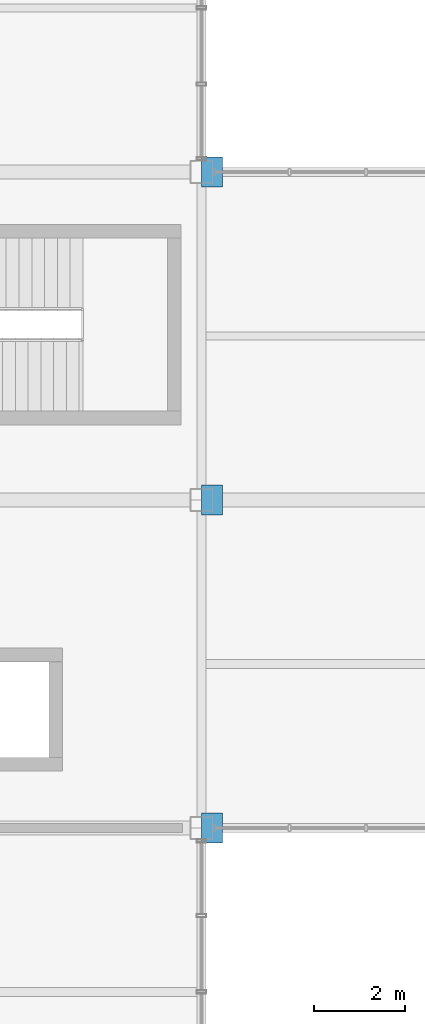
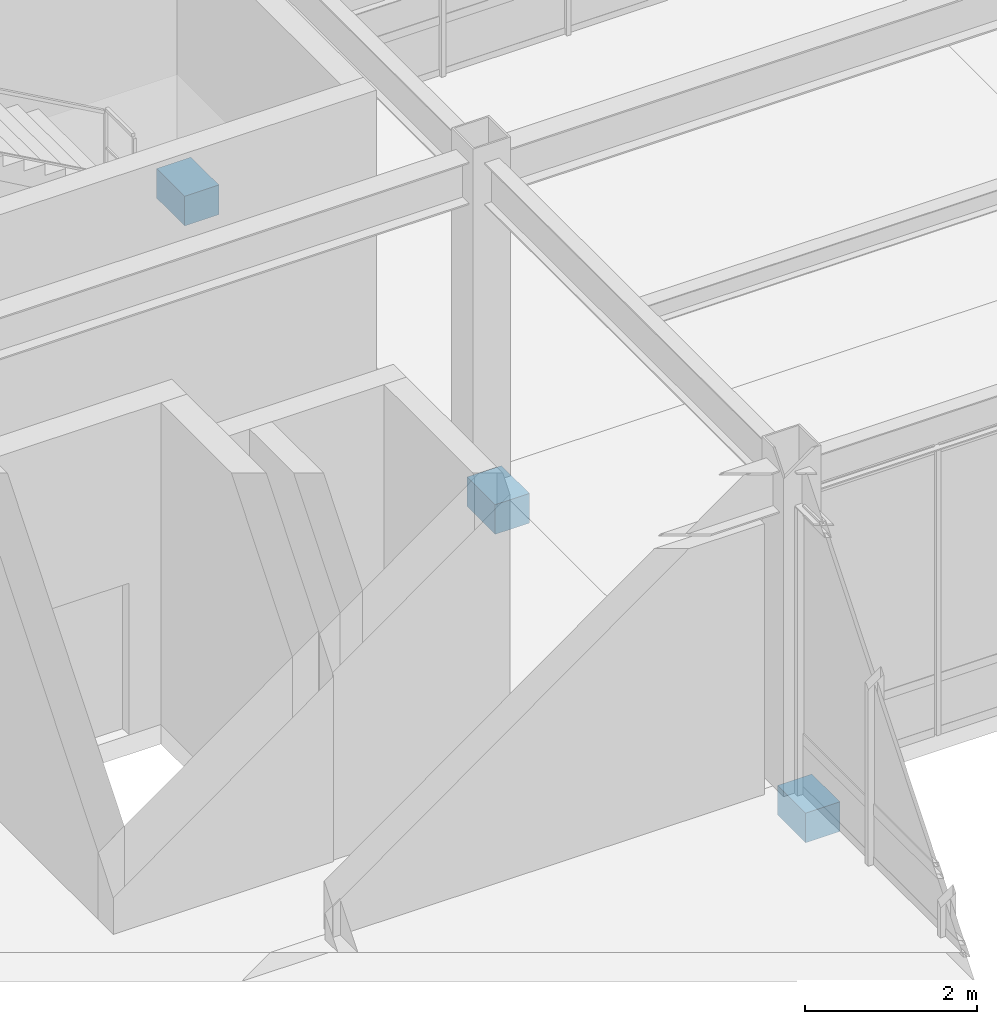
# One storey, part 102 of 112: 3 discrete accessories.
"""IFC4 building model written with IfcOpenShell, lengths in metres."""

from ifc_helpers import new_model, si_unit, direction, frame, origin, origin_2d, place, context, subcontext, project, spatial, rectangle, extrude, material, type_object, element, save


model = new_model("IFC4")

# Units and contexts
model_context = context("Model", 3, precision=1e-05, world=origin(), true_north=direction((0.0, 1.0)))
body_context = subcontext(model_context, "Body", "Model", "MODEL_VIEW")
ifc_project = project(units=[si_unit("LENGTHUNIT", "METRE"), si_unit("AREAUNIT", "SQUARE_METRE"), si_unit("VOLUMEUNIT", "CUBIC_METRE"), si_unit("PLANEANGLEUNIT", "RADIAN"), si_unit("MASSUNIT", "GRAM", prefix="KILO")], contexts=[model_context])

# Site, building, storey
site_placement = place(None, origin())
site = spatial("IfcSite", under=ifc_project, at=site_placement, CompositionType="ELEMENT")
building_placement = place(site_placement, origin())
building = spatial("IfcBuilding", under=site, at=building_placement, Name="Kazanami Central Library", CompositionType="ELEMENT")
storey_placement = place(building_placement, origin())
storey = spatial("IfcBuildingStorey", under=building, at=storey_placement, Name="L01", CompositionType="ELEMENT", Elevation=0.0)

# Discrete accessories
ifc_material = material(Name="Stainless Steel SUS304", Category="steel")
discrete_accessory_type = type_object("IfcDiscreteAccessoryType", Name="ACC-CRB-460", PredefinedType="BRACKET", material=ifc_material)
for number, where, z_axis, x_axis, name in (
    (1, (108.22998046875, 64.800048828125, -0.695068359375), (0.0, 0.0, 1.0), (1.0, 0.0, 0.0), "Link Bridge Corbel Seat and Elastomeric Sliding Bearing L01 EA-1"),
    (2, (108.22998046875, 72.0, -0.695068359375), (0.0, 0.0, 1.0), (1.0, 0.0, 0.0), "Link Bridge Corbel Seat and Elastomeric Sliding Bearing L01 EA-2"),
    (3, (108.22998046875, 79.199951171875, -0.695068359375), (0.0, 0.0, 1.0), (1.0, 0.0, 0.0), "Link Bridge Corbel Seat and Elastomeric Sliding Bearing L01 EA-3"),
):
    element("IfcDiscreteAccessory", number, at=place(storey_placement, frame(where, z_axis=z_axis, x_axis=x_axis)), inside=storey, type_object=discrete_accessory_type, Name=name, PredefinedType="BRACKET", context=body_context, shape_type="SweptSolid", body=[
        extrude(rectangle(XDim=0.4599609375, YDim=0.64990234375, at=origin_2d()), origin(), (0.0, 0.0, 1.0), 0.419921875),
    ])

save(model, "model.ifc")
